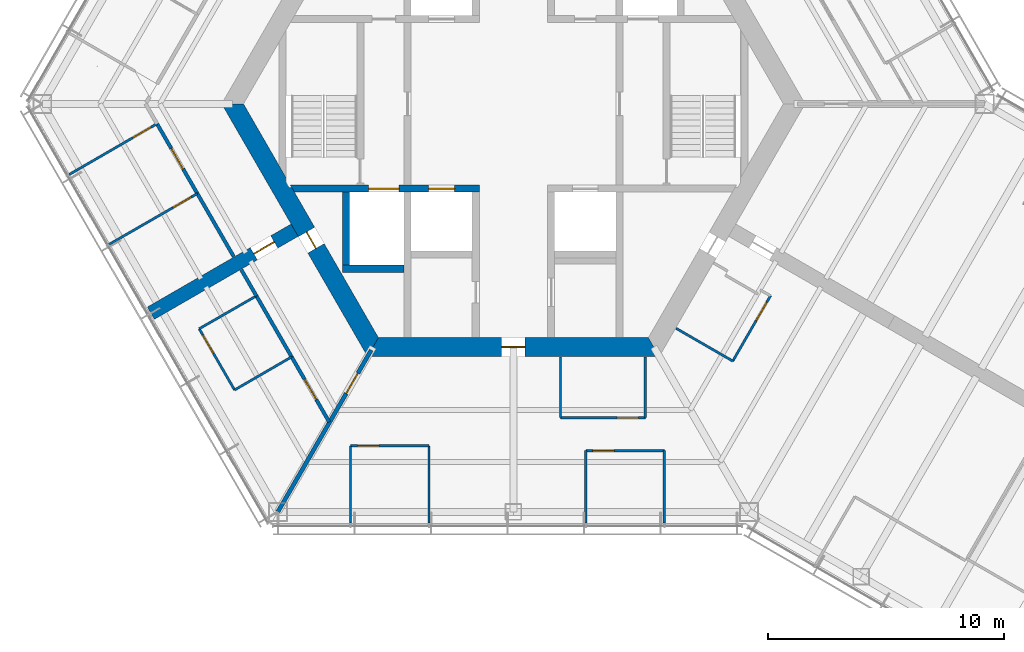
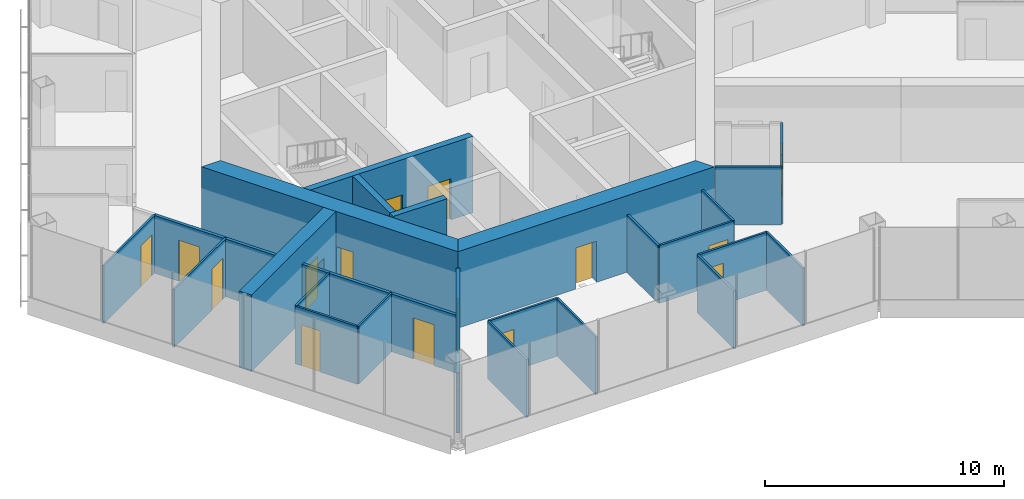
# One storey, part 10 of 17: 28 walls, 15 doors, 15 openings.
"""IFC4 building model written with IfcOpenShell, lengths in metres."""

from ifc_helpers import new_model, si_unit, direction, frame, frame_2d, origin, place, context, subcontext, project, spatial, polyline, rectangle, outline, extrude, material, layer, layer_set, type_object, element, fill, save


model = new_model("IFC4")

# Units and contexts
model_context = context("Model", 3, precision=1e-05, world=origin(), true_north=direction((0.0, 1.0)))
body_context = subcontext(model_context, "Body", "Model", "MODEL_VIEW")
ifc_project = project(units=[si_unit("LENGTHUNIT", "METRE"), si_unit("AREAUNIT", "SQUARE_METRE"), si_unit("VOLUMEUNIT", "CUBIC_METRE"), si_unit("PLANEANGLEUNIT", "RADIAN"), si_unit("MASSUNIT", "GRAM", prefix="KILO")], contexts=[model_context])

# Site, building, storey
site_placement = place(None, origin())
site = spatial("IfcSite", under=ifc_project, at=site_placement, CompositionType="ELEMENT")
building_placement = place(site_placement, origin())
building = spatial("IfcBuilding", under=site, at=building_placement, Name="Kasaneha Research Tower", CompositionType="ELEMENT")
storey_placement = place(building_placement, frame((0.0, 0.0, 232.300048828125)))
storey = spatial("IfcBuildingStorey", under=building, at=storey_placement, Name="L58", CompositionType="ELEMENT", Elevation=232.300048828125)

# Wall, openings, doors
ifc_material_1 = material(Name="Concrete Fc60", Category="concrete")
ifc_layer_1 = layer(ifc_material_1, 0.300048828125)
ifc_layer_set_1 = layer_set([ifc_layer_1], Name="Core internal wall 300 Fc60")
wall_type_1 = type_object("IfcWallType", Name="Core internal wall 300 Fc60", PredefinedType="SHEAR", material=ifc_layer_set_1)
wall_1_placement = place(storey_placement, frame((-9.3818359375, -3.60009765625, 0.0), z_axis=(0.0, 0.0, 1.0), x_axis=(1.0, 0.0, 0.0)))
wall_1 = element("IfcWall", 1, at=wall_1_placement, inside=storey, type_object=wall_type_1, Name="Core wall W2W L58", PredefinedType="SHEAR", context=body_context, shape_type="SweptSolid", body=[
    extrude(outline(polyline([(0.086669921875, -0.14990234375), (3.23193359375, -0.14990234375), (4.531982421875, -0.14990234375), (5.781982421875, -0.14990234375), (6.882080078125, -0.14990234375), (7.931884765625, -0.14990234375), (7.931884765625, 0.14990234375), (6.882080078125, 0.14990234375), (5.781982421875, 0.14990234375), (4.531982421875, 0.14990234375), (3.23193359375, 0.14990234375), (-0.086669921875, 0.14990234375), (0.086669921875, -0.14990234375)])), origin(), (0.0, 0.0, 1.0), 3.89990234375),
])
opening_1_placement = place(wall_1_placement, frame((5.781982421875, 0.0, 0.0)))
opening_1 = element("IfcOpeningElement", 2, at=opening_1_placement, cuts=wall_1, Name="Opening LD-LH1-L58", PredefinedType="OPENING", context=body_context, shape_type="SweptSolid", body=[
    extrude(rectangle(XDim=1.10009765625, YDim=2.10009765625, at=frame_2d((0.550048828125, 1.050048828125))), frame((0.0, 0.16015625, 0.0), z_axis=(0.0, -1.0, 0.0), x_axis=(1.0, 0.0, 0.0)), (0.0, 0.0, 1.0), 0.320068359375),
])
opening_2_placement = place(wall_1_placement, frame((3.23193359375, 0.0, 0.0)))
opening_2 = element("IfcOpeningElement", 3, at=opening_2_placement, cuts=wall_1, Name="Opening LD-FL2-L58", PredefinedType="OPENING", context=body_context, shape_type="SweptSolid", body=[
    extrude(rectangle(XDim=1.300048828125, YDim=2.10009765625, at=frame_2d((0.64990234375, 1.050048828125))), frame((0.0, 0.16015625, 0.0), z_axis=(0.0, -1.0, 0.0), x_axis=(1.0, 0.0, 0.0)), (0.0, 0.0, 1.0), 0.320068359375),
])
ifc_material_2 = material(Name="Steel", Category="steel")
door_type_1 = type_object("IfcDoorType", Name="Lift landing door 1100x2100", OperationType="DOUBLE_DOOR_SLIDING", PredefinedType="DOOR", material=ifc_material_2)
door_1_placement = place(opening_1_placement, origin())
door_1 = element("IfcDoor", 4, at=door_1_placement, inside=storey, type_object=door_type_1, Name="Landing door LH1 LD-LH1-L58", OperationType="DOUBLE_DOOR_SLIDING", OverallHeight=2.10009765625, OverallWidth=1.10009765625, PredefinedType="DOOR", context=body_context, shape_type="SweptSolid", body=[
    extrude(rectangle(XDim=1.10009765625, YDim=2.10009765625, at=frame_2d((0.550048828125, 1.050048828125))), frame((0.0, 0.02490234375, 0.0), z_axis=(0.0, -1.0, 0.0), x_axis=(1.0, 0.0, 0.0)), (0.0, 0.0, 1.0), 0.050048828125),
])
fill(opening_1, door_1)
ifc_material_3 = material(Name="Steel", Category="steel")
door_type_2 = type_object("IfcDoorType", Name="Lift landing door 1300x2100", OperationType="DOUBLE_DOOR_SLIDING", PredefinedType="DOOR", material=ifc_material_3)
door_2_placement = place(opening_2_placement, origin())
door_2 = element("IfcDoor", 5, at=door_2_placement, inside=storey, type_object=door_type_2, Name="Landing door FL2 LD-FL2-L58", OperationType="DOUBLE_DOOR_SLIDING", OverallHeight=2.10009765625, OverallWidth=1.300048828125, PredefinedType="DOOR", context=body_context, shape_type="SweptSolid", body=[
    extrude(rectangle(XDim=1.300048828125, YDim=2.10009765625, at=frame_2d((0.64990234375, 1.050048828125))), frame((0.0, 0.02490234375, 0.0), z_axis=(0.0, -1.0, 0.0), x_axis=(1.0, 0.0, 0.0)), (0.0, 0.0, 1.0), 0.050048828125),
])
fill(opening_2, door_2)

# Walls
wall_2_placement = place(storey_placement, frame((-7.25, -7.0, 0.0), z_axis=(0.0, 0.0, 1.0), x_axis=(1.0, 0.0, 0.0)))
element("IfcWall", 6, at=wall_2_placement, inside=storey, type_object=wall_type_1, Name="Core wall F2S L58", PredefinedType="SHEAR", context=body_context, shape_type="SweptSolid", body=[
    extrude(rectangle(XDim=2.60009765625, YDim=0.300048828125, at=frame_2d((1.300048828125, 0.0))), origin(), (0.0, 0.0, 1.0), 3.89990234375),
])
wall_3_placement = place(storey_placement, frame((-7.10009765625, -3.75, 0.0), z_axis=(0.0, 0.0, 1.0), x_axis=(0.0, -1.0, 0.0)))
element("IfcWall", 7, at=wall_3_placement, inside=storey, type_object=wall_type_1, Name="Core wall F2W L58", PredefinedType="SHEAR", context=body_context, shape_type="SweptSolid", body=[
    extrude(rectangle(XDim=3.10009765625, YDim=0.300048828125, at=frame_2d((1.550048828125, 0.0))), origin(), (0.0, 0.0, 1.0), 3.89990234375),
])

# Wall, opening, door
ifc_material_4 = material(Name="Concrete Fc60", Category="concrete")
ifc_layer_2 = layer(ifc_material_4, 0.800048828125)
ifc_layer_set_2 = layer_set([ifc_layer_2], Name="Core wall 800 Fc60")
wall_type_2 = type_object("IfcWallType", Name="Core wall 800 Fc60", PredefinedType="SHEAR", material=ifc_layer_set_2)
wall_4_placement = place(storey_placement, frame((-11.92236328125, 0.0, 0.0), z_axis=(0.0, 0.0, 1.0), x_axis=(0.500004296715, -0.866022923061, 0.0)))
wall_4 = element("IfcWall", 8, at=wall_4_placement, inside=storey, type_object=wall_type_2, Name="Core wall 210 L58", PredefinedType="SHEAR", context=body_context, shape_type="SweptSolid", body=[
    extrude(outline(polyline([(-0.23095703125, -0.39990234375), (6.28125, -0.39990234375), (7.081298828125, -0.39990234375), (12.1533203125, -0.39990234375), (11.69140625, 0.39990234375), (7.081298828125, 0.39990234375), (6.28125, 0.39990234375), (0.23095703125, 0.39990234375), (-0.23095703125, -0.39990234375)])), origin(), (0.0, 0.0, 1.0), 3.89990234375),
])
opening_3_placement = place(wall_4_placement, frame((6.28125, 0.0, 0.0)))
opening_3 = element("IfcOpeningElement", 9, at=opening_3_placement, cuts=wall_4, Name="Opening L58-D06", PredefinedType="OPENING", context=body_context, shape_type="SweptSolid", body=[
    extrude(rectangle(XDim=0.800048828125, YDim=2.10009765625, at=frame_2d((0.39990234375, 1.050048828125))), frame((0.0, 0.41015625, 0.0), z_axis=(0.0, -1.0, 0.0), x_axis=(1.0, 0.0, 0.0)), (0.0, 0.0, 1.0), 0.820068359375),
])
ifc_material_5 = material(Name="Steel", Category="steel")
door_type_3 = type_object("IfcDoorType", Name="Riser access door FD60 800x2100", OperationType="NOTDEFINED", PredefinedType="DOOR", material=ifc_material_5)
door_3_placement = place(opening_3_placement, origin())
door_3 = element("IfcDoor", 10, at=door_3_placement, inside=storey, type_object=door_type_3, Name="Duct riser door L58-D06", OperationType="SINGLE_SWING_RIGHT", OverallHeight=2.10009765625, OverallWidth=0.800048828125, PredefinedType="DOOR", context=body_context, shape_type="SweptSolid", body=[
    extrude(rectangle(XDim=0.800048828125, YDim=2.10009765625, at=frame_2d((0.39990234375, 1.050048828125))), frame((0.0, 0.02490234375, 0.0), z_axis=(0.0, -1.0, 0.0), x_axis=(1.0, 0.0, 0.0)), (0.0, 0.0, 1.0), 0.050048828125),
])
fill(opening_3, door_3)

wall_5_placement = place(storey_placement, frame((-5.961181640625, -10.324951171875, 0.0), z_axis=(0.0, 0.0, 1.0), x_axis=(1.0, 0.0, 0.0)))
wall_5 = element("IfcWall", 11, at=wall_5_placement, inside=storey, type_object=wall_type_2, Name="Core wall 270 L58", PredefinedType="SHEAR", context=body_context, shape_type="SweptSolid", body=[
    extrude(outline(polyline([(-0.23095703125, -0.39990234375), (5.461181640625, -0.39990234375), (6.461181640625, -0.39990234375), (12.1533203125, -0.39990234375), (11.69140625, 0.39990234375), (6.461181640625, 0.39990234375), (5.461181640625, 0.39990234375), (0.23095703125, 0.39990234375), (-0.23095703125, -0.39990234375)])), origin(), (0.0, 0.0, 1.0), 3.89990234375),
])
opening_4_placement = place(wall_5_placement, frame((5.461181640625, 0.0, 0.0)))
opening_4 = element("IfcOpeningElement", 12, at=opening_4_placement, cuts=wall_5, Name="Opening L58-D03", PredefinedType="OPENING", context=body_context, shape_type="SweptSolid", body=[
    extrude(rectangle(XDim=1.0, YDim=2.10009765625, at=frame_2d((0.5, 1.050048828125))), frame((0.0, 0.41015625, 0.0), z_axis=(0.0, -1.0, 0.0), x_axis=(1.0, 0.0, 0.0)), (0.0, 0.0, 1.0), 0.820068359375),
])
ifc_material_6 = material(Name="Steel", Category="steel")
door_type_4 = type_object("IfcDoorType", Name="Fire door FD20 1000x2100", OperationType="NOTDEFINED", PredefinedType="DOOR", material=ifc_material_6)
door_4_placement = place(opening_4_placement, origin())
door_4 = element("IfcDoor", 13, at=door_4_placement, inside=storey, type_object=door_type_4, Name="Core door south L58-D03", OperationType="SINGLE_SWING_LEFT", OverallHeight=2.10009765625, OverallWidth=1.0, PredefinedType="DOOR", context=body_context, shape_type="SweptSolid", body=[
    extrude(rectangle(XDim=1.0, YDim=2.10009765625, at=frame_2d((0.5, 1.050048828125))), frame((0.0, 0.02490234375, 0.0), z_axis=(0.0, -1.0, 0.0), x_axis=(1.0, 0.0, 0.0)), (0.0, 0.0, 1.0), 0.050048828125),
])
fill(opening_4, door_4)

ifc_material_7 = material(Name="Gypsum board on steel studs, one layer each side", Category="steel")
ifc_layer_3 = layer(ifc_material_7, 0.10009765625)
ifc_layer_set_3 = layer_set([ifc_layer_3], Name="Office partition 100")
wall_type_3 = type_object("IfcWallType", Name="Office partition 100", PredefinedType="PARTITIONING", material=ifc_layer_set_3)
wall_6_placement = place(storey_placement, frame((-17.171142578125, -5.969970703125, 0.0), z_axis=(0.0, 0.0, 1.0), x_axis=(0.866548575966, 0.499092742374, 0.0)))
wall_6 = element("IfcWall", 14, at=wall_6_placement, inside=storey, type_object=wall_type_3, Name="Office partition FBN11 L58", PredefinedType="PARTITIONING", context=body_context, shape_type="SweptSolid", body=[
    extrude(rectangle(XDim=4.33056640625, YDim=0.10009765625, at=frame_2d((2.165283203125, 0.0))), origin(), (0.0, 0.0, 1.0), 2.949951171875),
])
opening_5_placement = place(wall_6_placement, frame((3.130615234375, 0.0, 0.0)))
opening_5 = element("IfcOpeningElement", 15, at=opening_5_placement, cuts=wall_6, Name="Opening L58-D37", PredefinedType="OPENING", context=body_context, shape_type="SweptSolid", body=[
    extrude(rectangle(XDim=0.89990234375, YDim=2.10009765625, at=frame_2d((0.449951171875, 1.050048828125))), frame((0.0, 0.06005859375, 0.0), z_axis=(0.0, -1.0, 0.0), x_axis=(1.0, 0.0, 0.0)), (0.0, 0.0, 1.0), 0.1201171875),
])
ifc_material_8 = material(Name="Timber veneer", Category="wood")
door_type_5 = type_object("IfcDoorType", Name="Office door 900x2100", OperationType="SINGLE_SWING_LEFT", PredefinedType="DOOR", material=ifc_material_8)
door_5_placement = place(opening_5_placement, origin())
door_5 = element("IfcDoor", 16, at=door_5_placement, inside=storey, type_object=door_type_5, Name="Workroom door L58-D37", OperationType="SINGLE_SWING_RIGHT", OverallHeight=2.10009765625, OverallWidth=0.89990234375, PredefinedType="DOOR", context=body_context, shape_type="SweptSolid", body=[
    extrude(rectangle(XDim=0.89990234375, YDim=2.10009765625, at=frame_2d((0.449951171875, 1.050048828125))), frame((0.0, 0.02490234375, 0.0), z_axis=(0.0, -1.0, 0.0), x_axis=(1.0, 0.0, 0.0)), (0.0, 0.0, 1.0), 0.050048828125),
])
fill(opening_5, door_5)

wall_7_placement = place(storey_placement, frame((-15.130615234375, -0.843017578125, 0.0), z_axis=(0.0, 0.0, 1.0), x_axis=(-0.865525911664, -0.500864149484, 0.0)))
wall_7 = element("IfcWall", 17, at=wall_7_placement, inside=storey, type_object=wall_type_3, Name="Office partition FBN12 L58", PredefinedType="PARTITIONING", context=body_context, shape_type="SweptSolid", body=[
    extrude(rectangle(XDim=4.3056640625, YDim=0.10009765625, at=frame_2d((2.15283203125, 0.0))), origin(), (0.0, 0.0, 1.0), 2.949951171875),
])
opening_6_placement = place(wall_7_placement, frame((0.300048828125, 0.0, 0.0)))
opening_6 = element("IfcOpeningElement", 18, at=opening_6_placement, cuts=wall_7, Name="Opening L58-D38", PredefinedType="OPENING", context=body_context, shape_type="SweptSolid", body=[
    extrude(rectangle(XDim=0.89990234375, YDim=2.10009765625, at=frame_2d((0.449951171875, 1.050048828125))), frame((0.0, 0.06005859375, 0.0), z_axis=(0.0, -1.0, 0.0), x_axis=(1.0, 0.0, 0.0)), (0.0, 0.0, 1.0), 0.1201171875),
])
door_6_placement = place(opening_6_placement, origin())
door_6 = element("IfcDoor", 19, at=door_6_placement, inside=storey, type_object=door_type_5, Name="Phone room door L58-D38", OperationType="SINGLE_SWING_LEFT", OverallHeight=2.10009765625, OverallWidth=0.89990234375, PredefinedType="DOOR", context=body_context, shape_type="SweptSolid", body=[
    extrude(rectangle(XDim=0.89990234375, YDim=2.10009765625, at=frame_2d((0.449951171875, 1.050048828125))), frame((0.0, 0.02490234375, 0.0), z_axis=(0.0, -1.0, 0.0), x_axis=(1.0, 0.0, 0.0)), (0.0, 0.0, 1.0), 0.050048828125),
])
fill(opening_6, door_6)

# Wall
wall_8_placement = place(storey_placement, frame((-13.337890625, -9.548095703125, 0.0), z_axis=(0.0, 0.0, 1.0), x_axis=(0.866833758708, 0.498597267105, 0.0)))
element("IfcWall", 20, at=wall_8_placement, inside=storey, type_object=wall_type_3, Name="Office partition FBS04 L58", PredefinedType="PARTITIONING", context=body_context, shape_type="SweptSolid", body=[
    extrude(rectangle(XDim=2.7998046875, YDim=0.10009765625, at=frame_2d((1.39990234375, 0.0))), origin(), (0.0, 0.0, 1.0), 2.949951171875),
])

# Wall, opening, door
wall_9_placement = place(storey_placement, frame((-11.837890625, -12.146240234375, 0.0), z_axis=(0.0, 0.0, 1.0), x_axis=(-0.499990139034, 0.866031096941, 0.0)))
wall_9 = element("IfcWall", 21, at=wall_9_placement, inside=storey, type_object=wall_type_3, Name="Office partition FBS05 L58", PredefinedType="PARTITIONING", context=body_context, shape_type="SweptSolid", body=[
    extrude(rectangle(XDim=3.0, YDim=0.10009765625, at=frame_2d((1.5, 0.0))), origin(), (0.0, 0.0, 1.0), 2.949951171875),
])
opening_7_placement = place(wall_9_placement, frame((1.800048828125, 0.0, 0.0)))
opening_7 = element("IfcOpeningElement", 22, at=opening_7_placement, cuts=wall_9, Name="Opening L58-D40", PredefinedType="OPENING", context=body_context, shape_type="SweptSolid", body=[
    extrude(rectangle(XDim=0.89990234375, YDim=2.10009765625, at=frame_2d((0.449951171875, 1.050048828125))), frame((0.0, 0.06005859375, 0.0), z_axis=(0.0, -1.0, 0.0), x_axis=(1.0, 0.0, 0.0)), (0.0, 0.0, 1.0), 0.1201171875),
])
door_7_placement = place(opening_7_placement, origin())
door_7 = element("IfcDoor", 23, at=door_7_placement, inside=storey, type_object=door_type_5, Name="Pantry door L58-D40", OperationType="SINGLE_SWING_RIGHT", OverallHeight=2.10009765625, OverallWidth=0.89990234375, PredefinedType="DOOR", context=body_context, shape_type="SweptSolid", body=[
    extrude(rectangle(XDim=0.89990234375, YDim=2.10009765625, at=frame_2d((0.449951171875, 1.050048828125))), frame((0.0, 0.02490234375, 0.0), z_axis=(0.0, -1.0, 0.0), x_axis=(1.0, 0.0, 0.0)), (0.0, 0.0, 1.0), 0.050048828125),
])
fill(opening_7, door_7)

# Walls
wall_10_placement = place(storey_placement, frame((-9.415283203125, -10.7421875, 0.0), z_axis=(0.0, 0.0, 1.0), x_axis=(-0.865195372903, -0.501434907746, 0.0)))
element("IfcWall", 24, at=wall_10_placement, inside=storey, type_object=wall_type_3, Name="Office partition FBS06 L58", PredefinedType="PARTITIONING", context=body_context, shape_type="SweptSolid", body=[
    extrude(rectangle(XDim=2.800048828125, YDim=0.10009765625, at=frame_2d((1.39990234375, 0.0))), origin(), (0.0, 0.0, 1.0), 2.949951171875),
])
wall_11_placement = place(storey_placement, frame((9.31298828125, -10.91943359375, 0.0), z_axis=(0.0, 0.0, 1.0), x_axis=(-0.865996920067, 0.500049332001, 0.0)))
element("IfcWall", 25, at=wall_11_placement, inside=storey, type_object=wall_type_3, Name="Office partition FCS03 L58", PredefinedType="PARTITIONING", context=body_context, shape_type="SweptSolid", body=[
    extrude(rectangle(XDim=2.780029296875, YDim=0.10009765625, at=frame_2d((1.39013671875, 0.0))), origin(), (0.0, 0.0, 1.0), 2.949951171875),
])

# Wall, opening, door
wall_12_placement = place(storey_placement, frame((10.9130859375, -8.148193359375, 0.0), z_axis=(0.0, 0.0, 1.0), x_axis=(-0.500028443584, -0.866008981251, 0.0)))
wall_12 = element("IfcWall", 26, at=wall_12_placement, inside=storey, type_object=wall_type_3, Name="Office partition FCS05 L58", PredefinedType="PARTITIONING", context=body_context, shape_type="SweptSolid", body=[
    extrude(rectangle(XDim=3.199951171875, YDim=0.10009765625, at=frame_2d((1.60009765625, 0.0))), origin(), (0.0, 0.0, 1.0), 2.949951171875),
])
opening_8_placement = place(wall_12_placement, frame((0.300048828125, 0.0, 0.0)))
opening_8 = element("IfcOpeningElement", 27, at=opening_8_placement, cuts=wall_12, Name="Opening L58-D43", PredefinedType="OPENING", context=body_context, shape_type="SweptSolid", body=[
    extrude(rectangle(XDim=0.89990234375, YDim=2.10009765625, at=frame_2d((0.449951171875, 1.050048828125))), frame((0.0, 0.06005859375, 0.0), z_axis=(0.0, -1.0, 0.0), x_axis=(1.0, 0.0, 0.0)), (0.0, 0.0, 1.0), 0.1201171875),
])
door_8_placement = place(opening_8_placement, origin())
door_8 = element("IfcDoor", 28, at=door_8_placement, inside=storey, type_object=door_type_5, Name="Pantry door L58-D43", OperationType="SINGLE_SWING_LEFT", OverallHeight=2.10009765625, OverallWidth=0.89990234375, PredefinedType="DOOR", context=body_context, shape_type="SweptSolid", body=[
    extrude(rectangle(XDim=0.89990234375, YDim=2.10009765625, at=frame_2d((0.449951171875, 1.050048828125))), frame((0.0, 0.02490234375, 0.0), z_axis=(0.0, -1.0, 0.0), x_axis=(1.0, 0.0, 0.0)), (0.0, 0.0, 1.0), 0.050048828125),
])
fill(opening_8, door_8)

# Wall
wall_13_placement = place(storey_placement, frame((-6.91552734375, -17.800537109375, 0.0), z_axis=(0.0, 0.0, 1.0), x_axis=(0.0, 1.0, 0.0)))
element("IfcWall", 29, at=wall_13_placement, inside=storey, type_object=wall_type_3, Name="Office partition FCS06 L58", PredefinedType="PARTITIONING", context=body_context, shape_type="SweptSolid", body=[
    extrude(rectangle(XDim=3.280029296875, YDim=0.10009765625, at=frame_2d((1.64013671875, 0.0))), origin(), (0.0, 0.0, 1.0), 2.949951171875),
])

# Wall, opening, door
wall_14_placement = place(storey_placement, frame((-6.91552734375, -14.5205078125, 0.0), z_axis=(0.0, 0.0, 1.0), x_axis=(1.0, 0.0, 0.0)))
wall_14 = element("IfcWall", 30, at=wall_14_placement, inside=storey, type_object=wall_type_3, Name="Office partition FCS07 L58", PredefinedType="PARTITIONING", context=body_context, shape_type="SweptSolid", body=[
    extrude(rectangle(XDim=3.3310546875, YDim=0.10009765625, at=frame_2d((1.66552734375, 0.0))), origin(), (0.0, 0.0, 1.0), 2.949951171875),
])
opening_9_placement = place(wall_14_placement, frame((0.300048828125, 0.0, 0.0)))
opening_9 = element("IfcOpeningElement", 31, at=opening_9_placement, cuts=wall_14, Name="Opening L58-D44", PredefinedType="OPENING", context=body_context, shape_type="SweptSolid", body=[
    extrude(rectangle(XDim=0.89990234375, YDim=2.10009765625, at=frame_2d((0.449951171875, 1.050048828125))), frame((0.0, 0.06005859375, 0.0), z_axis=(0.0, -1.0, 0.0), x_axis=(1.0, 0.0, 0.0)), (0.0, 0.0, 1.0), 0.1201171875),
])
door_9_placement = place(opening_9_placement, origin())
door_9 = element("IfcDoor", 32, at=door_9_placement, inside=storey, type_object=door_type_5, Name="Manager's office door L58-D44", OperationType="SINGLE_SWING_LEFT", OverallHeight=2.10009765625, OverallWidth=0.89990234375, PredefinedType="DOOR", context=body_context, shape_type="SweptSolid", body=[
    extrude(rectangle(XDim=0.89990234375, YDim=2.10009765625, at=frame_2d((0.449951171875, 1.050048828125))), frame((0.0, 0.02490234375, 0.0), z_axis=(0.0, -1.0, 0.0), x_axis=(1.0, 0.0, 0.0)), (0.0, 0.0, 1.0), 0.050048828125),
])
fill(opening_9, door_9)

# Walls
wall_15_placement = place(storey_placement, frame((-3.58447265625, -14.5205078125, 0.0), z_axis=(0.0, 0.0, 1.0), x_axis=(0.0, -1.0, 0.0)))
element("IfcWall", 33, at=wall_15_placement, inside=storey, type_object=wall_type_3, Name="Office partition FCS08 L58", PredefinedType="PARTITIONING", context=body_context, shape_type="SweptSolid", body=[
    extrude(rectangle(XDim=3.280029296875, YDim=0.10009765625, at=frame_2d((1.64013671875, 0.0))), origin(), (0.0, 0.0, 1.0), 2.949951171875),
])
wall_16_placement = place(storey_placement, frame((2.0, -13.324951171875, 0.0), z_axis=(0.0, 0.0, 1.0), x_axis=(0.0, 1.0, 0.0)))
element("IfcWall", 34, at=wall_16_placement, inside=storey, type_object=wall_type_3, Name="Office partition FCS13 L58", PredefinedType="PARTITIONING", context=body_context, shape_type="SweptSolid", body=[
    extrude(rectangle(XDim=2.579833984375, YDim=0.10009765625, at=frame_2d((1.2900390625, 0.0))), origin(), (0.0, 0.0, 1.0), 2.949951171875),
])

# Wall, opening, door
wall_17_placement = place(storey_placement, frame((5.60009765625, -13.324951171875, 0.0), z_axis=(0.0, 0.0, 1.0), x_axis=(-1.0, 0.0, 0.0)))
wall_17 = element("IfcWall", 35, at=wall_17_placement, inside=storey, type_object=wall_type_3, Name="Office partition FCS14 L58", PredefinedType="PARTITIONING", context=body_context, shape_type="SweptSolid", body=[
    extrude(rectangle(XDim=3.60009765625, YDim=0.10009765625, at=frame_2d((1.800048828125, 0.0))), origin(), (0.0, 0.0, 1.0), 2.949951171875),
])
opening_10_placement = place(wall_17_placement, frame((0.300048828125, 0.0, 0.0)))
opening_10 = element("IfcOpeningElement", 36, at=opening_10_placement, cuts=wall_17, Name="Opening L58-D47", PredefinedType="OPENING", context=body_context, shape_type="SweptSolid", body=[
    extrude(rectangle(XDim=0.89990234375, YDim=2.10009765625, at=frame_2d((0.449951171875, 1.050048828125))), frame((0.0, 0.06005859375, 0.0), z_axis=(0.0, -1.0, 0.0), x_axis=(1.0, 0.0, 0.0)), (0.0, 0.0, 1.0), 0.1201171875),
])
door_10_placement = place(opening_10_placement, origin())
door_10 = element("IfcDoor", 37, at=door_10_placement, inside=storey, type_object=door_type_5, Name="Phone room door L58-D47", OperationType="SINGLE_SWING_LEFT", OverallHeight=2.10009765625, OverallWidth=0.89990234375, PredefinedType="DOOR", context=body_context, shape_type="SweptSolid", body=[
    extrude(rectangle(XDim=0.89990234375, YDim=2.10009765625, at=frame_2d((0.449951171875, 1.050048828125))), frame((0.0, 0.02490234375, 0.0), z_axis=(0.0, -1.0, 0.0), x_axis=(1.0, 0.0, 0.0)), (0.0, 0.0, 1.0), 0.050048828125),
])
fill(opening_10, door_10)

# Walls
wall_18_placement = place(storey_placement, frame((5.60009765625, -10.7451171875, 0.0), z_axis=(0.0, 0.0, 1.0), x_axis=(0.0, -1.0, 0.0)))
element("IfcWall", 38, at=wall_18_placement, inside=storey, type_object=wall_type_3, Name="Office partition FCS15 L58", PredefinedType="PARTITIONING", context=body_context, shape_type="SweptSolid", body=[
    extrude(rectangle(XDim=2.579833984375, YDim=0.10009765625, at=frame_2d((1.2900390625, 0.0))), origin(), (0.0, 0.0, 1.0), 2.949951171875),
])
wall_19_placement = place(storey_placement, frame((3.077392578125, -17.800537109375, 0.0), z_axis=(0.0, 0.0, 1.0), x_axis=(0.0, 1.0, 0.0)))
element("IfcWall", 39, at=wall_19_placement, inside=storey, type_object=wall_type_3, Name="Office partition FCS16 L58", PredefinedType="PARTITIONING", context=body_context, shape_type="SweptSolid", body=[
    extrude(rectangle(XDim=3.080078125, YDim=0.10009765625, at=frame_2d((1.5400390625, 0.0))), origin(), (0.0, 0.0, 1.0), 2.949951171875),
])

# Wall, opening, door
wall_20_placement = place(storey_placement, frame((3.077392578125, -14.720458984375, 0.0), z_axis=(0.0, 0.0, 1.0), x_axis=(1.0, 0.0, 0.0)))
wall_20 = element("IfcWall", 40, at=wall_20_placement, inside=storey, type_object=wall_type_3, Name="Office partition FCS17 L58", PredefinedType="PARTITIONING", context=body_context, shape_type="SweptSolid", body=[
    extrude(rectangle(XDim=3.330810546875, YDim=0.10009765625, at=frame_2d((1.66552734375, 0.0))), origin(), (0.0, 0.0, 1.0), 2.949951171875),
])
opening_11_placement = place(wall_20_placement, frame((0.300048828125, 0.0, 0.0)))
opening_11 = element("IfcOpeningElement", 41, at=opening_11_placement, cuts=wall_20, Name="Opening L58-D48", PredefinedType="OPENING", context=body_context, shape_type="SweptSolid", body=[
    extrude(rectangle(XDim=0.89990234375, YDim=2.10009765625, at=frame_2d((0.449951171875, 1.050048828125))), frame((0.0, 0.06005859375, 0.0), z_axis=(0.0, -1.0, 0.0), x_axis=(1.0, 0.0, 0.0)), (0.0, 0.0, 1.0), 0.1201171875),
])
door_11_placement = place(opening_11_placement, origin())
door_11 = element("IfcDoor", 42, at=door_11_placement, inside=storey, type_object=door_type_5, Name="Workroom door L58-D48", OperationType="SINGLE_SWING_LEFT", OverallHeight=2.10009765625, OverallWidth=0.89990234375, PredefinedType="DOOR", context=body_context, shape_type="SweptSolid", body=[
    extrude(rectangle(XDim=0.89990234375, YDim=2.10009765625, at=frame_2d((0.449951171875, 1.050048828125))), frame((0.0, 0.02490234375, 0.0), z_axis=(0.0, -1.0, 0.0), x_axis=(1.0, 0.0, 0.0)), (0.0, 0.0, 1.0), 0.050048828125),
])
fill(opening_11, door_11)

# Wall
wall_21_placement = place(storey_placement, frame((6.408203125, -14.720458984375, 0.0), z_axis=(0.0, 0.0, 1.0), x_axis=(0.0, -1.0, 0.0)))
element("IfcWall", 43, at=wall_21_placement, inside=storey, type_object=wall_type_3, Name="Office partition FCS18 L58", PredefinedType="PARTITIONING", context=body_context, shape_type="SweptSolid", body=[
    extrude(rectangle(XDim=3.080078125, YDim=0.10009765625, at=frame_2d((1.5400390625, 0.0))), origin(), (0.0, 0.0, 1.0), 2.949951171875),
])

# Wall, opening, door
ifc_material_9 = material(Name="Concrete Fc60", Category="concrete")
ifc_layer_4 = layer(ifc_material_9, 0.60009765625)
ifc_layer_set_4 = layer_set([ifc_layer_4], Name="Spine wall 600 Fc60")
wall_type_4 = type_object("IfcWallType", Name="Spine wall 600 Fc60", PredefinedType="SHEAR", material=ifc_layer_set_4)
wall_22_placement = place(storey_placement, frame((-9.2880859375, -5.362548828125, 0.0), z_axis=(0.0, 0.0, 1.0), x_axis=(-0.866027473358, -0.499996415376, 0.0)))
wall_22 = element("IfcWall", 44, at=wall_22_placement, inside=storey, type_object=wall_type_4, Name="Spine wall B L58", PredefinedType="SHEAR", context=body_context, shape_type="SweptSolid", body=[
    extrude(rectangle(XDim=7.04541015625, YDim=0.60009765625, at=frame_2d((3.522705078125, 0.0))), origin(), (0.0, 0.0, 1.0), 3.89990234375),
])
opening_12_placement = place(wall_22_placement, frame((1.0, 0.0, 0.0)))
opening_12 = element("IfcOpeningElement", 45, at=opening_12_placement, cuts=wall_22, Name="Opening L58-D19", PredefinedType="OPENING", context=body_context, shape_type="SweptSolid", body=[
    extrude(rectangle(XDim=1.0, YDim=2.10009765625, at=frame_2d((0.5, 1.050048828125))), frame((0.0, 0.31005859375, 0.0), z_axis=(0.0, -1.0, 0.0), x_axis=(1.0, 0.0, 0.0)), (0.0, 0.0, 1.0), 0.6201171875),
])
ifc_material_10 = material(Name="Steel", Category="steel")
door_type_6 = type_object("IfcDoorType", Name="Specified fire door FD60 1000x2100", OperationType="NOTDEFINED", PredefinedType="DOOR", material=ifc_material_10)
door_12_placement = place(opening_12_placement, origin())
door_12 = element("IfcDoor", 46, at=door_12_placement, inside=storey, type_object=door_type_6, Name="Spine doorway B L58-D19", OperationType="SINGLE_SWING_LEFT", OverallHeight=2.10009765625, OverallWidth=1.0, PredefinedType="DOOR", context=body_context, shape_type="SweptSolid", body=[
    extrude(rectangle(XDim=1.0, YDim=2.10009765625, at=frame_2d((0.5, 1.050048828125))), frame((0.0, 0.02490234375, 0.0), z_axis=(0.0, -1.0, 0.0), x_axis=(1.0, 0.0, 0.0)), (0.0, 0.0, 1.0), 0.050048828125),
])
fill(opening_12, door_12)

# Wall
ifc_material_11 = material(Name="Gypsum board on steel studs, two layers each side", Category="steel")
ifc_layer_5 = layer(ifc_material_11, 0.14990234375)
ifc_layer_set_5 = layer_set([ifc_layer_5], Name="Suite partition 150")
wall_type_5 = type_object("IfcWallType", Name="Suite partition 150", PredefinedType="PARTITIONING", material=ifc_layer_set_5)
wall_23_placement = place(storey_placement, frame((-11.873046875, -6.4853515625, 0.0), z_axis=(0.0, 0.0, 1.0), x_axis=(-0.499958760481, 0.866049212123, 0.0)))
element("IfcWall", 47, at=wall_23_placement, inside=storey, type_object=wall_type_5, Name="Suite partition FBN03 L58", PredefinedType="PARTITIONING", context=body_context, shape_type="SweptSolid", body=[
    extrude(rectangle(XDim=3.100341796875, YDim=0.14990234375, at=frame_2d((1.55029296875, 0.0))), origin(), (0.0, 0.0, 1.0), 2.949951171875),
])

# Wall, opening, door
wall_24_placement = place(storey_placement, frame((-13.41845703125, -3.80859375, 0.0), z_axis=(0.0, 0.0, 1.0), x_axis=(-0.499996058069, 0.866027679647, 0.0)))
wall_24 = element("IfcWall", 48, at=wall_24_placement, inside=storey, type_object=wall_type_5, Name="Suite partition FBN07 L58", PredefinedType="PARTITIONING", context=body_context, shape_type="SweptSolid", body=[
    extrude(rectangle(XDim=3.42431640625, YDim=0.14990234375, at=frame_2d((1.712158203125, 0.0))), origin(), (0.0, 0.0, 1.0), 2.949951171875),
])
opening_13_placement = place(wall_24_placement, frame((1.212158203125, 0.0, 0.0)))
opening_13 = element("IfcOpeningElement", 49, at=opening_13_placement, cuts=wall_24, Name="Opening L58-D34", PredefinedType="OPENING", context=body_context, shape_type="SweptSolid", body=[
    extrude(rectangle(XDim=1.0, YDim=2.10009765625, at=frame_2d((0.5, 1.050048828125))), frame((0.0, 0.0849609375, 0.0), z_axis=(0.0, -1.0, 0.0), x_axis=(1.0, 0.0, 0.0)), (0.0, 0.0, 1.0), 0.169921875),
])
ifc_material_12 = material(Name="Steel", Category="steel")
door_type_7 = type_object("IfcDoorType", Name="Suite entrance door FD60 1000x2100", OperationType="NOTDEFINED", PredefinedType="DOOR", material=ifc_material_12)
door_13_placement = place(opening_13_placement, origin())
door_13 = element("IfcDoor", 50, at=door_13_placement, inside=storey, type_object=door_type_7, Name="Suite entrance door L58-D34", OperationType="SINGLE_SWING_RIGHT", OverallHeight=2.10009765625, OverallWidth=1.0, PredefinedType="DOOR", context=body_context, shape_type="SweptSolid", body=[
    extrude(rectangle(XDim=1.0, YDim=2.10009765625, at=frame_2d((0.5, 1.050048828125))), frame((0.0, 0.02490234375, 0.0), z_axis=(0.0, -1.0, 0.0), x_axis=(1.0, 0.0, 0.0)), (0.0, 0.0, 1.0), 0.050048828125),
])
fill(opening_13, door_13)

# Walls
wall_25_placement = place(storey_placement, frame((-9.410400390625, -10.75048828125, 0.0), z_axis=(0.0, 0.0, 1.0), x_axis=(-0.500038395149, 0.8660032352, 0.0)))
element("IfcWall", 51, at=wall_25_placement, inside=storey, type_object=wall_type_5, Name="Suite partition FBS01 L58", PredefinedType="PARTITIONING", context=body_context, shape_type="SweptSolid", body=[
    extrude(rectangle(XDim=3.010009765625, YDim=0.14990234375, at=frame_2d((1.5048828125, 0.0))), origin(), (0.0, 0.0, 1.0), 2.949951171875),
])
wall_26_placement = place(storey_placement, frame((-10.910888671875, -8.152099609375, 0.0), z_axis=(0.0, 0.0, 1.0), x_axis=(-0.499859560919, 0.866106471144, 0.0)))
element("IfcWall", 52, at=wall_26_placement, inside=storey, type_object=wall_type_5, Name="Suite partition FBS02 L58", PredefinedType="PARTITIONING", context=body_context, shape_type="SweptSolid", body=[
    extrude(rectangle(XDim=1.284423828125, YDim=0.14990234375, at=frame_2d((0.64208984375, 0.0))), origin(), (0.0, 0.0, 1.0), 2.949951171875),
])

# Wall, opening, door
wall_27_placement = place(storey_placement, frame((-7.8203125, -13.5048828125, 0.0), z_axis=(0.0, 0.0, 1.0), x_axis=(-0.499983030129, 0.866035201123, 0.0)))
wall_27 = element("IfcWall", 53, at=wall_27_placement, inside=storey, type_object=wall_type_5, Name="Suite partition FBS03 L58", PredefinedType="PARTITIONING", context=body_context, shape_type="SweptSolid", body=[
    extrude(rectangle(XDim=3.18994140625, YDim=0.14990234375, at=frame_2d((1.594970703125, 0.0))), origin(), (0.0, 0.0, 1.0), 2.949951171875),
])
opening_14_placement = place(wall_27_placement, frame((1.094970703125, 0.0, 0.0)))
opening_14 = element("IfcOpeningElement", 54, at=opening_14_placement, cuts=wall_27, Name="Opening L58-D39", PredefinedType="OPENING", context=body_context, shape_type="SweptSolid", body=[
    extrude(rectangle(XDim=1.0, YDim=2.10009765625, at=frame_2d((0.5, 1.050048828125))), frame((0.0, 0.0849609375, 0.0), z_axis=(0.0, -1.0, 0.0), x_axis=(1.0, 0.0, 0.0)), (0.0, 0.0, 1.0), 0.169921875),
])
door_14_placement = place(opening_14_placement, origin())
door_14 = element("IfcDoor", 55, at=door_14_placement, inside=storey, type_object=door_type_7, Name="Suite entrance door L58-D39", OperationType="SINGLE_SWING_RIGHT", OverallHeight=2.10009765625, OverallWidth=1.0, PredefinedType="DOOR", context=body_context, shape_type="SweptSolid", body=[
    extrude(rectangle(XDim=1.0, YDim=2.10009765625, at=frame_2d((0.5, 1.050048828125))), frame((0.0, 0.02490234375, 0.0), z_axis=(0.0, -1.0, 0.0), x_axis=(1.0, 0.0, 0.0)), (0.0, 0.0, 1.0), 0.050048828125),
])
fill(opening_14, door_14)

ifc_material_13 = material(Name="Gypsum board on steel studs, two layers each side", Category="steel")
ifc_layer_6 = layer(ifc_material_13, 0.175048828125)
ifc_layer_set_6 = layer_set([ifc_layer_6], Name="Tenancy fire partition 175")
wall_type_6 = type_object("IfcWallType", Name="Tenancy fire partition 175", PredefinedType="PARTITIONING", material=ifc_layer_set_6)
wall_28_placement = place(storey_placement, frame((-6.034912109375, -10.45263671875, 0.0), z_axis=(0.0, 0.0, 1.0), x_axis=(-0.499989830942, -0.866031274813, 0.0)))
wall_28 = element("IfcWall", 56, at=wall_28_placement, inside=storey, type_object=wall_type_6, Name="Tenancy fire partition T240 L58", PredefinedType="PARTITIONING", context=body_context, shape_type="SweptSolid", body=[
    extrude(rectangle(XDim=7.930419921875, YDim=0.175048828125, at=frame_2d((3.96533203125, 0.0))), origin(), (0.0, 0.0, 1.0), 3.050048828125),
])
opening_15_placement = place(wall_28_placement, frame((1.1298828125, 0.0, 0.0)))
opening_15 = element("IfcOpeningElement", 57, at=opening_15_placement, cuts=wall_28, Name="Opening L58-D25", PredefinedType="OPENING", context=body_context, shape_type="SweptSolid", body=[
    extrude(rectangle(XDim=1.0, YDim=2.10009765625, at=frame_2d((0.5, 1.050048828125))), frame((0.0, 0.09765625, 0.0), z_axis=(0.0, -1.0, 0.0), x_axis=(1.0, 0.0, 0.0)), (0.0, 0.0, 1.0), 0.195068359375),
])
door_15_placement = place(opening_15_placement, origin())
door_15 = element("IfcDoor", 58, at=door_15_placement, inside=storey, type_object=door_type_7, Name="Connecting door L58-D25", OperationType="SINGLE_SWING_LEFT", OverallHeight=2.10009765625, OverallWidth=1.0, PredefinedType="DOOR", context=body_context, shape_type="SweptSolid", body=[
    extrude(rectangle(XDim=1.0, YDim=2.10009765625, at=frame_2d((0.5, 1.050048828125))), frame((0.0, 0.02490234375, 0.0), z_axis=(0.0, -1.0, 0.0), x_axis=(1.0, 0.0, 0.0)), (0.0, 0.0, 1.0), 0.050048828125),
])
fill(opening_15, door_15)

save(model, "model.ifc")
